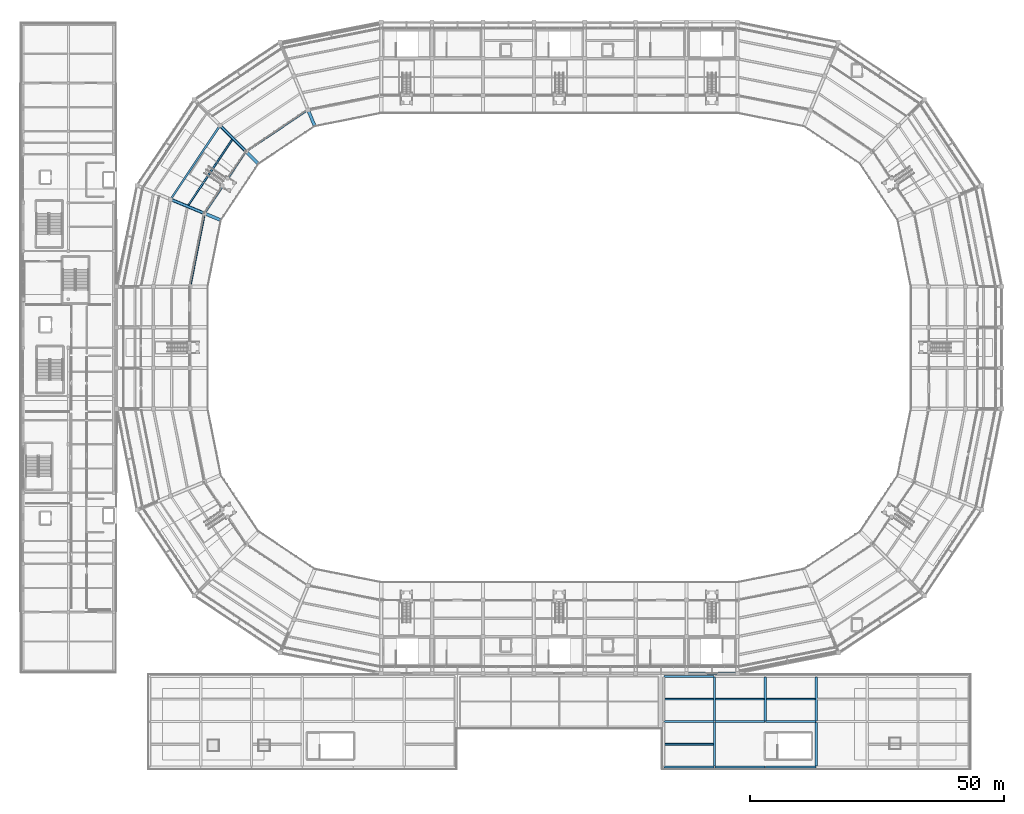
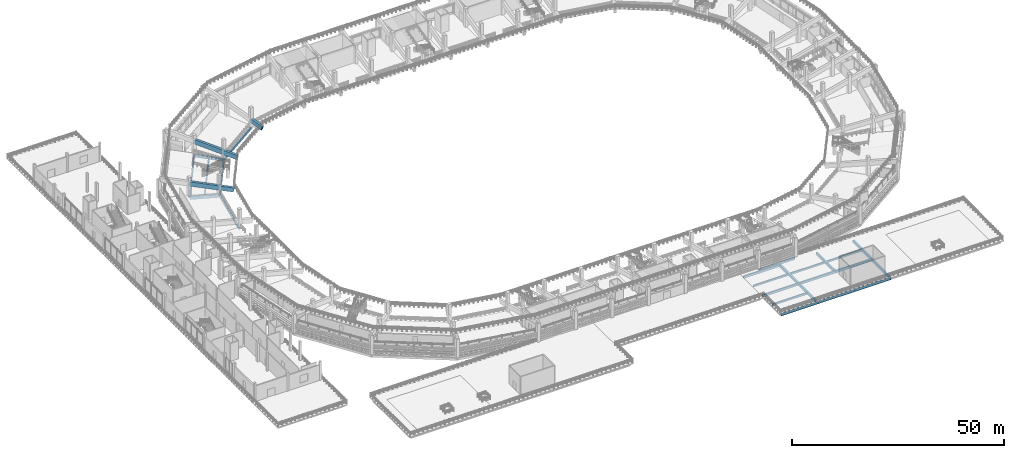
# One storey, part 26 of 96: 29 beams.
"""IFC4 building model written with IfcOpenShell, lengths in metres."""

import ifcopenshell
import ifcopenshell.guid

model = None  # the IFC model being written
_history = None  # IfcOwnerHistory: only IFC2X3 demands one
_inside = {}  # id of a spatial element -> (the spatial element, [elements in it])
_under = {}  # id of a project, library or spatial element -> (it, [spatial elements below it])
_declared = {}  # id of a project -> (the project, [libraries it declares])
_typed = {}  # id of a type object -> (the type object, [elements of that type])
_made_of = {}  # id of a material, layer set ... -> (it, [elements and type objects made of it])


def new_model(schema):
    """Start an empty IFC model of exactly this schema.

    Asked for "IFC4X3", IfcOpenShell would pick the latest addendum, in which some entities
    have other attributes; the version numbers below select the first issue.
    IFC2X3 requires an IfcOwnerHistory on every rooted entity: one is made here for all.
    """
    global model, _history
    if schema == "IFC4X3":
        model = ifcopenshell.file(schema_version=(4, 3, 0, 0))
    else:
        model = ifcopenshell.file(schema=schema)
    _inside.clear()
    _under.clear()
    _declared.clear()
    _typed.clear()
    _made_of.clear()
    _history = None
    if model.schema == "IFC2X3":
        org = make("IfcOrganization", Name="unknown")
        user = make(
            "IfcPersonAndOrganization",
            ThePerson=make("IfcPerson", FamilyName="unknown"),
            TheOrganization=org,
        )
        app = make(
            "IfcApplication",
            ApplicationDeveloper=org,
            Version="unknown",
            ApplicationFullName="unknown",
            ApplicationIdentifier="unknown",
        )
        _history = make(
            "IfcOwnerHistory",
            OwningUser=user,
            OwningApplication=app,
            ChangeAction="ADDED",
            CreationDate=0,
        )
    return model


def make(cls, **values):
    """One entity of the class cls with the attributes given. An attribute that is None is left unset."""
    return model.create_entity(
        cls, **{name: value for name, value in values.items() if value is not None}
    )


def rooted(cls, **values):
    """An entity with a GlobalId (a new one), such as an element, a storey or a relation."""
    return make(cls, GlobalId=ifcopenshell.guid.new(), OwnerHistory=_history, **values)


def si_unit(unit_type, name, prefix=None):
    """IfcSIUnit, for example si_unit("LENGTHUNIT", "METRE", prefix="MILLI")."""
    return make("IfcSIUnit", UnitType=unit_type, Prefix=prefix, Name=name)


def assignment(units):
    """IfcUnitAssignment: the units of a project."""
    return None if units is None else make("IfcUnitAssignment", Units=units)


def point(xyz):
    """IfcCartesianPoint."""
    return None if xyz is None else make("IfcCartesianPoint", Coordinates=xyz)


def direction(xyz):
    """IfcDirection."""
    return None if xyz is None else make("IfcDirection", DirectionRatios=xyz)


def frame(location, z_axis=None, x_axis=None):
    """IfcAxis2Placement3D, a coordinate frame: its origin and axes. An axis left out is left unset."""
    return make(
        "IfcAxis2Placement3D",
        Location=point(location),
        Axis=direction(z_axis),
        RefDirection=direction(x_axis),
    )


def frame_2d(location, x_axis=None):
    """IfcAxis2Placement2D, a coordinate frame in the plane: its origin and x axis."""
    return make(
        "IfcAxis2Placement2D", Location=point(location), RefDirection=direction(x_axis)
    )


def origin():
    """The frame at (0, 0, 0) with its axes left unset."""
    return frame((0.0, 0.0, 0.0))


def origin_2d():
    """The frame at (0, 0) in the plane with its x axis left unset."""
    return frame_2d((0.0, 0.0))


def place(relative_to, where):
    """IfcLocalPlacement: puts the frame where relative to a parent placement (None: the world)."""
    return make(
        "IfcLocalPlacement", PlacementRelTo=relative_to, RelativePlacement=where
    )


def context(
    kind, dimensions, precision=None, world=None, true_north=None, identifier=None
):
    """IfcGeometricRepresentationContext, for example the 3D "Model" context."""
    return make(
        "IfcGeometricRepresentationContext",
        ContextIdentifier=identifier,
        ContextType=kind,
        CoordinateSpaceDimension=dimensions,
        Precision=precision,
        WorldCoordinateSystem=world,
        TrueNorth=true_north,
    )


def subcontext(parent, identifier, kind, view, scale=None):
    """IfcGeometricRepresentationSubContext, for example "Body" below "Model"."""
    return make(
        "IfcGeometricRepresentationSubContext",
        ContextIdentifier=identifier,
        ContextType=kind,
        ParentContext=parent,
        TargetScale=scale,
        TargetView=view,
    )


def project(units=None, contexts=None):
    """IfcProject with its units and contexts."""
    return rooted(
        "IfcProject",
        Name="project",
        RepresentationContexts=contexts,
        UnitsInContext=assignment(units),
    )


def spatial(cls, under=None, at=None, **own):
    """A site, building, storey or space (cls), placed at a placement, below another one or the project."""
    s = rooted(cls, ObjectPlacement=at, **own)
    if under is not None:
        _under.setdefault(under.id(), (under, []))[1].append(s)
    return s


def profile(cls, at=None, kind="AREA", **sizes):
    """A parametric profile (cls). Its sizes go by their IFC names, for example OverallWidth=200.0."""
    return make(cls, ProfileType=kind, Position=at, **sizes)


def rectangle(**sizes):
    """IfcRectangleProfileDef."""
    return profile("IfcRectangleProfileDef", **sizes)


def extrude(swept, where, along, depth):
    """IfcExtrudedAreaSolid: the profile swept, set in the frame where, extruded along a direction by depth."""
    return make(
        "IfcExtrudedAreaSolid",
        SweptArea=swept,
        Position=where,
        ExtrudedDirection=direction(along),
        Depth=depth,
    )


def shape(context_of_items, identifier, shape_type, items):
    """IfcShapeRepresentation: the items that make up one representation, for example the "Body"."""
    return make(
        "IfcShapeRepresentation",
        ContextOfItems=context_of_items,
        RepresentationIdentifier=identifier,
        RepresentationType=shape_type,
        Items=items,
    )


def material(Name=None, Category=None):
    """IfcMaterial."""
    return make("IfcMaterial", Name=Name, Category=Category)


def material_profile(
    of_material, cross_section, Name=None, Category=None, Priority=None
):
    """IfcMaterialProfile: a cross section and its material."""
    return make(
        "IfcMaterialProfile",
        Name=Name,
        Material=of_material,
        Profile=cross_section,
        Priority=Priority,
        Category=Category,
    )


def profile_set(profiles, Name=None, composite=None):
    """IfcMaterialProfileSet."""
    return make(
        "IfcMaterialProfileSet",
        Name=Name,
        MaterialProfiles=profiles,
        CompositeProfile=composite,
    )


def made_of(thing, what):
    """Note that an element or type object is made of a material, layer set ...; save() writes the relation."""
    if what is not None:
        _made_of.setdefault(what.id(), (what, []))[1].append(thing)
    return thing


def type_object(cls, material=None, **own):
    """A type object (cls), such as IfcWallType, which elements share."""
    return made_of(rooted(cls, **own), material)


def element(
    cls,
    number,
    at=None,
    inside=None,
    cuts=None,
    type_object=None,
    material=None,
    context=None,
    identifier="Body",
    shape_type=None,
    held_by="IfcProductDefinitionShape",
    body=None,
    shapes=None,
    **own,
):
    """One element of the class cls, such as IfcWall. Its Tag is "e" and its number.

    at: its placement. inside: the storey or other place that contains it. cuts: it is an
    opening in that element (IfcRelVoidsElement). A single representation is given by context,
    identifier, shape_type and body (its items); several are given by shapes. held_by: the class
    of the entity that holds the representations. save() writes the other relations.
    """
    e = rooted(cls, Tag="e%d" % number, ObjectPlacement=at, **own)
    if body is not None:
        shapes = [shape(context, identifier, shape_type, body)]
    if shapes is not None:
        e.Representation = make(held_by, Representations=shapes)
    if inside is not None:
        _inside.setdefault(inside.id(), (inside, []))[1].append(e)
    if cuts is not None:
        rooted(
            "IfcRelVoidsElement", RelatingBuildingElement=cuts, RelatedOpeningElement=e
        )
    if type_object is not None:
        _typed.setdefault(type_object.id(), (type_object, []))[1].append(e)
    return made_of(e, material)


def aggregate(whole, parts):
    """IfcRelAggregates: a whole, such as a stair, and the parts it consists of."""
    return rooted("IfcRelAggregates", RelatingObject=whole, RelatedObjects=parts)


def save(model, path):
    """Write the relations noted so far, then the file.

    IfcRelAggregates (storeys below a building ...), IfcRelContainedInSpatialStructure (elements
    in a storey), IfcRelDefinesByType, IfcRelAssociatesMaterial and IfcRelDeclares: one each for
    every whole, place, type object, material and project.
    """
    for whole, parts in _under.values():
        aggregate(whole, parts)
    for where, things in _inside.values():
        rooted(
            "IfcRelContainedInSpatialStructure",
            RelatedElements=things,
            RelatingStructure=where,
        )
    for kind, things in _typed.values():
        rooted("IfcRelDefinesByType", RelatedObjects=things, RelatingType=kind)
    for what, things in _made_of.values():
        rooted("IfcRelAssociatesMaterial", RelatedObjects=things, RelatingMaterial=what)
    for by, libraries in _declared.values():
        rooted("IfcRelDeclares", RelatingContext=by, RelatedDefinitions=libraries)
    model.write(path)


model = new_model("IFC4")

# Units and contexts
model_context = context("Model", 3, precision=1e-05, world=origin(), true_north=direction((0.0, 1.0)))
body_context = subcontext(model_context, "Body", "Model", "MODEL_VIEW")
ifc_project = project(units=[si_unit("LENGTHUNIT", "METRE"), si_unit("AREAUNIT", "SQUARE_METRE"), si_unit("VOLUMEUNIT", "CUBIC_METRE"), si_unit("PLANEANGLEUNIT", "RADIAN"), si_unit("MASSUNIT", "GRAM", prefix="KILO")], contexts=[model_context])

# Site, building, storey
site_placement = place(None, origin())
site = spatial("IfcSite", under=ifc_project, at=site_placement, CompositionType="ELEMENT")
building_placement = place(site_placement, origin())
building = spatial("IfcBuilding", under=site, at=building_placement, Name="Candeia Ridge Stadium", CompositionType="ELEMENT")
storey_placement = place(building_placement, frame((0.0, 0.0, 21.60009765625)))
storey = spatial("IfcBuildingStorey", under=building, at=storey_placement, Name="L04", CompositionType="ELEMENT", Elevation=21.60009765625)

# Beams
ifc_material_1 = material(Name="Concrete C40/50", Category="concrete")
ifc_material_profile_1 = material_profile(ifc_material_1, rectangle(XDim=0.320068359375, YDim=0.52001953125, at=origin_2d()), Name="RC320x520", Category="concrete")
ifc_profile_set_1 = profile_set([ifc_material_profile_1], Name="Concrete C40/50")
beam_type_1 = type_object("IfcBeamType", Name="Floor Joist RC320x520", PredefinedType="JOIST", material=ifc_profile_set_1)
beam_1_placement = place(storey_placement, frame((41.743896484375, 123.9482421875, -0.52001953125), z_axis=(-0.555568527312, -0.831470752017, 0.0), x_axis=(0.831470752017, -0.555568527312, 0.0)))
element("IfcBeam", 1, at=beam_1_placement, inside=storey, type_object=beam_type_1, Name="Concourse secondary joist BM-L04-0836", PredefinedType="JOIST", context=body_context, shape_type="SweptSolid", body=[
    extrude(rectangle(XDim=0.320068359375, YDim=0.52001953125, at=origin_2d()), origin(), (0.0, 0.0, 1.0), 15.63134765625),
])
ifc_material_profile_2 = material_profile(ifc_material_1, rectangle(XDim=0.35009765625, YDim=0.5, at=origin_2d()), Name="RC350x500", Category="concrete")
ifc_profile_set_2 = profile_set([ifc_material_profile_2], Name="Concrete C40/50")
beam_type_2 = type_object("IfcBeamType", Name="Floor Joist RC350x500", PredefinedType="JOIST", material=ifc_profile_set_2)
for number, where, z_axis, x_axis, name in (
    (2, (126.674560546875, 5.050048828125, -0.530029296875), (1.0, 0.0, 0.0), (0.0, 1.0, 0.0), "Wing secondary joist BM-L04-2502"),
    (3, (126.674560546875, 13.949951171875, -0.530029296875), (1.0, 0.0, 0.0), (0.0, 1.0, 0.0), "Wing secondary joist BM-L04-2504"),
):
    element("IfcBeam", number, at=place(storey_placement, frame(where, z_axis=z_axis, x_axis=x_axis)), inside=storey, type_object=beam_type_2, Name=name, PredefinedType="JOIST", context=body_context, shape_type="SweptSolid", body=[
        extrude(rectangle(XDim=0.35009765625, YDim=0.5, at=origin_2d()), origin(), (0.0, 0.0, 1.0), 9.600830078125),
    ])
for number, where, z_axis, x_axis, name in (
    (4, (136.724609375, 13.949951171875, -0.530029296875), (1.0, 0.0, 0.0), (0.0, 1.0, 0.0), "Wing secondary joist BM-L04-2508"),
    (5, (146.724609375, 13.949951171875, -0.530029296875), (1.0, 0.0, 0.0), (0.0, 1.0, 0.0), "Wing secondary joist BM-L04-2512"),
):
    element("IfcBeam", number, at=place(storey_placement, frame(where, z_axis=z_axis, x_axis=x_axis)), inside=storey, type_object=beam_type_2, Name=name, PredefinedType="JOIST", context=body_context, shape_type="SweptSolid", body=[
        extrude(rectangle(XDim=0.35009765625, YDim=0.5, at=origin_2d()), origin(), (0.0, 0.0, 1.0), 9.55078125),
    ])
ifc_material_profile_3 = material_profile(ifc_material_1, rectangle(XDim=0.360107421875, YDim=0.580078125, at=origin_2d()), Name="RC360x580", Category="concrete")
ifc_profile_set_3 = profile_set([ifc_material_profile_3], Name="Concrete C40/50")
beam_type_3 = type_object("IfcBeamType", Name="Frame Girder RC360x580", PredefinedType="BEAM", material=ifc_profile_set_3)
beam_2_placement = place(storey_placement, frame((39.232666015625, 126.54541015625, -0.550048828125), z_axis=(-0.555573223542, -0.831467614091, 0.0), x_axis=(0.831467614091, -0.555573223542, 0.0)))
element("IfcBeam", 6, at=beam_2_placement, inside=storey, type_object=beam_type_3, Name="Concourse spine girder BM-L04-0834", PredefinedType="BEAM", context=body_context, shape_type="SweptSolid", body=[
    extrude(rectangle(XDim=0.360107421875, YDim=0.580078125, at=origin_2d()), origin(), (0.0, 0.0, 1.0), 17.16015625),
])
ifc_material_profile_4 = material_profile(ifc_material_1, rectangle(XDim=0.3798828125, YDim=0.6201171875, at=origin_2d()), Name="RC380x620", Category="concrete")
ifc_profile_set_4 = profile_set([ifc_material_profile_4], Name="Concrete C40/50")
beam_type_4 = type_object("IfcBeamType", Name="Frame Girder RC380x620", PredefinedType="BEAM", material=ifc_profile_set_4)
for number, where, z_axis, x_axis, name in (
    (7, (56.47802734375, 129.64892578125, -0.570068359375), (-0.831466176057, -0.55557537569, 0.0), (0.55557537569, -0.831466176057, 0.0), "Bowl inner ring girder BM-L04-0828"),
    (8, (44.323974609375, 121.4541015625, -0.570068359375), (-0.55557537569, -0.831466176057, 0.0), (0.831466176057, -0.55557537569, 0.0), "Bowl inner ring girder BM-L04-0833"),
    (9, (36.23095703125, 109.23193359375, -0.570068359375), (-0.195098555341, -0.980783642657, 0.0), (0.980783642657, -0.195098555341, 0.0), "Bowl inner ring girder BM-L04-0838"),
):
    element("IfcBeam", number, at=place(storey_placement, frame(where, z_axis=z_axis, x_axis=x_axis)), inside=storey, type_object=beam_type_4, Name=name, PredefinedType="BEAM", context=body_context, shape_type="SweptSolid", body=[
        extrude(rectangle(XDim=0.3798828125, YDim=0.6201171875, at=origin_2d()), origin(), (0.0, 0.0, 1.0), 14.350830078125),
    ])
ifc_material_profile_5 = material_profile(ifc_material_1, rectangle(XDim=0.429931640625, YDim=0.739990234375, at=origin_2d()), Name="RC430x740", Category="concrete")
ifc_profile_set_5 = profile_set([ifc_material_profile_5], Name="Concrete C40/50")
beam_type_5 = type_object("IfcBeamType", Name="Frame Girder RC430x740", PredefinedType="BEAM", material=ifc_profile_set_5)
beam_3_placement = place(storey_placement, frame((44.299560546875, 121.700439453125, -0.630126953125), z_axis=(-0.707106781187, 0.707106781187, 0.0), x_axis=(-0.707106781187, -0.707106781187, 0.0)))
element("IfcBeam", 10, at=beam_3_placement, inside=storey, type_object=beam_type_5, Name="Bowl radial girder BM-L04-0739", PredefinedType="BEAM", context=body_context, shape_type="SweptSolid", body=[
    extrude(rectangle(XDim=0.429931640625, YDim=0.739990234375, at=origin_2d()), origin(), (0.0, 0.0, 1.0), 6.8798828125),
])
ifc_material_profile_6 = material_profile(ifc_material_1, rectangle(XDim=0.449951171875, YDim=0.699951171875, at=origin_2d()), Name="RC450x700", Category="concrete")
ifc_profile_set_6 = profile_set([ifc_material_profile_6], Name="Concrete C40/50")
beam_type_6 = type_object("IfcBeamType", Name="Frame Girder RC450x700", PredefinedType="BEAM", material=ifc_profile_set_6)
for number, where, z_axis, x_axis, name in (
    (11, (136.5, 0.760009765625, -0.630126953125), (0.0, 1.0, 0.0), (-1.0, 0.0, 0.0), "Structural girder BM-L04-2490"),
    (12, (136.5, 9.659912109375, -0.630126953125), (0.0, 1.0, 0.0), (-1.0, 0.0, 0.0), "Structural girder BM-L04-2491"),
    (13, (146.5, 9.659912109375, -0.630126953125), (0.0, 1.0, 0.0), (-1.0, 0.0, 0.0), "Structural girder BM-L04-2492"),
    (14, (156.5, 0.760009765625, -0.630126953125), (0.0, 1.0, 0.0), (-1.0, 0.0, 0.0), "Structural girder BM-L04-2493"),
    (15, (156.5, 9.659912109375, -0.630126953125), (0.0, 1.0, 0.0), (-1.0, 0.0, 0.0), "Structural girder BM-L04-2494"),
):
    element("IfcBeam", number, at=place(storey_placement, frame(where, z_axis=z_axis, x_axis=x_axis)), inside=storey, type_object=beam_type_6, Name=name, PredefinedType="BEAM", context=body_context, shape_type="SweptSolid", body=[
        extrude(rectangle(XDim=0.449951171875, YDim=0.699951171875, at=origin_2d()), origin(), (0.0, 0.0, 1.0), 8.580078125),
    ])
ifc_material_2 = material(Name="Concrete C45/55", Category="concrete")
ifc_material_profile_7 = material_profile(ifc_material_2, rectangle(XDim=0.47998046875, YDim=0.820068359375, at=origin_2d()), Name="RC480x820", Category="concrete")
ifc_profile_set_7 = profile_set([ifc_material_profile_7], Name="Concrete C45/55")
beam_type_7 = type_object("IfcBeamType", Name="Frame Girder RC480x820", PredefinedType="BEAM", material=ifc_profile_set_7)
beam_4_placement = place(storey_placement, frame((36.1142578125, 109.4501953125, -0.670166015625), z_axis=(-0.923880161031, 0.382681914982, 0.0), x_axis=(-0.382681914982, -0.923880161031, 0.0)))
element("IfcBeam", 16, at=beam_4_placement, inside=storey, type_object=beam_type_7, Name="Bowl radial girder BM-L04-0741", PredefinedType="BEAM", context=body_context, shape_type="SweptSolid", body=[
    extrude(rectangle(XDim=0.47998046875, YDim=0.820068359375, at=origin_2d()), origin(), (0.0, 0.0, 1.0), 6.8798828125),
])
ifc_material_profile_8 = material_profile(ifc_material_1, rectangle(XDim=0.320068359375, YDim=0.6201171875, at=origin_2d()), Name="RC320x620", Category="concrete")
ifc_profile_set_8 = profile_set([ifc_material_profile_8], Name="Concrete C40/50")
beam_type_8 = type_object("IfcBeamType", Name="Spandrel Beam RC320x620", PredefinedType="SPANDREL", material=ifc_profile_set_8)
beam_5_placement = place(storey_placement, frame((131.159912109375, 19.0, -0.570068359375), z_axis=(1.0, 0.0, 0.0), x_axis=(0.0, 1.0, 0.0)))
element("IfcBeam", 17, at=beam_5_placement, inside=storey, type_object=beam_type_8, Name="Bowl perimeter spandrel BM-L04-0906", PredefinedType="SPANDREL", context=body_context, shape_type="SweptSolid", body=[
    extrude(rectangle(XDim=0.320068359375, YDim=0.6201171875, at=origin_2d()), origin(), (0.0, 0.0, 1.0), 9.68017578125),
])
ifc_material_profile_9 = material_profile(ifc_material_2, rectangle(XDim=0.6201171875, YDim=1.179931640625, at=origin_2d()), Name="RC620x1180", Category="concrete")
ifc_profile_set_9 = profile_set([ifc_material_profile_9], Name="Concrete C45/55")
beam_type_9 = type_object("IfcBeamType", Name="Stand Raker Beam RC620x1180", PredefinedType="USERDEFINED", material=ifc_profile_set_9)
beam_6_placement = place(storey_placement, frame((57.912109375, 126.5966796875, 0.78759765625), z_axis=(-0.37044888349, 0.894388315816, 0.250673423506), x_axis=(-0.92388643014, -0.382666779591, 0.0)))
element("IfcBeam", 18, at=beam_6_placement, inside=storey, type_object=beam_type_9, Name="Stand T3 cantilever raker beam 09", ObjectType="RAKER", PredefinedType="USERDEFINED", context=body_context, shape_type="SweptSolid", body=[
    extrude(rectangle(XDim=0.6201171875, YDim=1.179931640625, at=origin_2d()), origin(), (0.0, 0.0, 1.0), 3.511962890625),
])
beam_7_placement = place(storey_placement, frame((36.26220703125, 109.388916015625, 1.66796875), z_axis=(-0.894394775155, 0.370467920593, 0.250622237615), x_axis=(-0.382681205745, -0.923880454805, 0.0)))
element("IfcBeam", 19, at=beam_7_placement, inside=storey, type_object=beam_type_9, Name="Stand T3 inner raker beam 11", ObjectType="RAKER", PredefinedType="USERDEFINED", context=body_context, shape_type="SweptSolid", body=[
    extrude(rectangle(XDim=0.6201171875, YDim=1.179931640625, at=origin_2d()), origin(), (0.0, 0.0, 1.0), 7.4375),
])
beam_8_placement = place(storey_placement, frame((39.4033203125, 108.087890625, 0.78759765625), z_axis=(-0.894388315816, 0.37044888349, 0.250673423506), x_axis=(-0.382666779591, -0.92388643014, 0.0)))
element("IfcBeam", 20, at=beam_8_placement, inside=storey, type_object=beam_type_9, Name="Stand T3 cantilever raker beam 11", ObjectType="RAKER", PredefinedType="USERDEFINED", context=body_context, shape_type="SweptSolid", body=[
    extrude(rectangle(XDim=0.6201171875, YDim=1.179931640625, at=origin_2d()), origin(), (0.0, 0.0, 1.0), 3.511962890625),
])
ifc_material_profile_10 = material_profile(ifc_material_2, rectangle(XDim=0.64990234375, YDim=1.25, at=origin_2d()), Name="RC650x1250", Category="concrete")
ifc_profile_set_10 = profile_set([ifc_material_profile_10], Name="Concrete C45/55")
beam_type_10 = type_object("IfcBeamType", Name="Stand Raker Beam RC650x1250", PredefinedType="USERDEFINED", material=ifc_profile_set_10)
beam_9_placement = place(storey_placement, frame((44.412841796875, 121.587158203125, 1.66796875), z_axis=(-0.684539585554, 0.684539585554, 0.250621450835), x_axis=(-0.707106781187, -0.707106781187, 0.0)))
element("IfcBeam", 21, at=beam_9_placement, inside=storey, type_object=beam_type_10, Name="Stand T3 inner raker beam 10", ObjectType="RAKER", PredefinedType="USERDEFINED", context=body_context, shape_type="SweptSolid", body=[
    extrude(rectangle(XDim=0.64990234375, YDim=1.25, at=origin_2d()), origin(), (0.0, 0.0, 1.0), 7.4375),
])
beam_10_placement = place(storey_placement, frame((46.81689453125, 119.18310546875, 0.78759765625), z_axis=(-0.684529473924, 0.684529473924, 0.250676681524), x_axis=(-0.707106781187, -0.707106781187, 0.0)))
element("IfcBeam", 22, at=beam_10_placement, inside=storey, type_object=beam_type_10, Name="Stand T3 cantilever raker beam 10", ObjectType="RAKER", PredefinedType="USERDEFINED", context=body_context, shape_type="SweptSolid", body=[
    extrude(rectangle(XDim=0.64990234375, YDim=1.25, at=origin_2d()), origin(), (0.0, 0.0, 1.0), 3.511962890625),
])
ifc_material_profile_11 = material_profile(ifc_material_1, rectangle(XDim=0.39990234375, YDim=0.64990234375, at=origin_2d()), Name="RC400x650", Category="concrete")
ifc_profile_set_11 = profile_set([ifc_material_profile_11], Name="Concrete C40/50")
beam_type_11 = type_object("IfcBeamType", Name="Wing Primary Girder RC400x650", PredefinedType="BEAM", material=ifc_profile_set_11)
for number, where, z_axis, x_axis, name in (
    (23, (126.550048828125, 0.60009765625, -0.60498046875), (1.0, 0.0, 0.0), (0.0, 1.0, 0.0), "Structural girder BM-L04-2501"),
    (24, (126.550048828125, 9.5, -0.60498046875), (1.0, 0.0, 0.0), (0.0, 1.0, 0.0), "Structural girder BM-L04-2503"),
    (25, (126.550048828125, 18.39990234375, -0.60498046875), (1.0, 0.0, 0.0), (0.0, 1.0, 0.0), "Structural girder BM-L04-2505"),
    (26, (136.550048828125, 0.60009765625, -0.60498046875), (1.0, 0.0, 0.0), (0.0, 1.0, 0.0), "Structural girder BM-L04-2506"),
    (27, (136.550048828125, 9.5, -0.60498046875), (1.0, 0.0, 0.0), (0.0, 1.0, 0.0), "Structural girder BM-L04-2507"),
    (28, (146.550048828125, 0.60009765625, -0.60498046875), (1.0, 0.0, 0.0), (0.0, 1.0, 0.0), "Structural girder BM-L04-2510"),
    (29, (146.550048828125, 9.5, -0.60498046875), (1.0, 0.0, 0.0), (0.0, 1.0, 0.0), "Structural girder BM-L04-2511"),
):
    element("IfcBeam", number, at=place(storey_placement, frame(where, z_axis=z_axis, x_axis=x_axis)), inside=storey, type_object=beam_type_11, Name=name, PredefinedType="BEAM", context=body_context, shape_type="SweptSolid", body=[
        extrude(rectangle(XDim=0.39990234375, YDim=0.64990234375, at=origin_2d()), origin(), (0.0, 0.0, 1.0), 9.89990234375),
    ])

save(model, "model.ifc")
